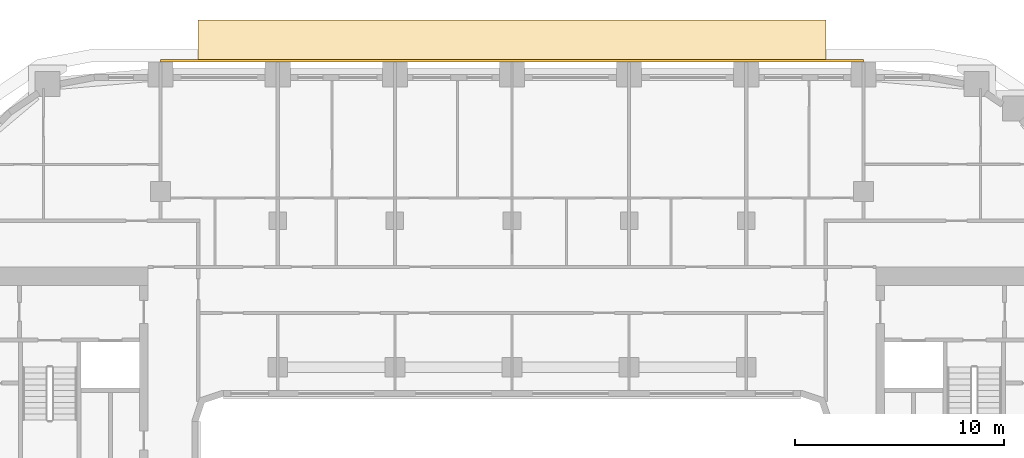
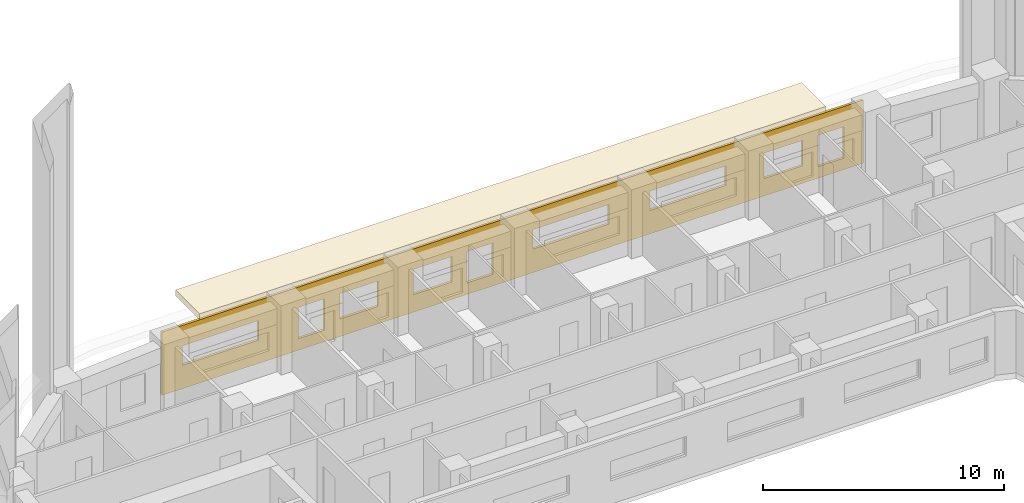
# One storey, part 22 of 23: 2 coverings.
"""IFC4 building model written with IfcOpenShell, lengths in metres."""

from ifc_helpers import new_model, si_unit, direction, frame, origin, place, context, subcontext, project, spatial, polyline, outline, extrude, material, layer, layer_set, type_object, element, save


model = new_model("IFC4")

# Units and contexts
model_context = context("Model", 3, precision=1e-05, world=origin(), true_north=direction((0.0, 1.0)))
body_context = subcontext(model_context, "Body", "Model", "MODEL_VIEW")
ifc_project = project(units=[si_unit("LENGTHUNIT", "METRE"), si_unit("AREAUNIT", "SQUARE_METRE"), si_unit("VOLUMEUNIT", "CUBIC_METRE"), si_unit("PLANEANGLEUNIT", "RADIAN"), si_unit("MASSUNIT", "GRAM", prefix="KILO")], contexts=[model_context])

# Site, building, storey
site_placement = place(None, origin())
site = spatial("IfcSite", under=ifc_project, at=site_placement, CompositionType="ELEMENT")
building_placement = place(site_placement, origin())
building = spatial("IfcBuilding", under=site, at=building_placement, Name="Kiln Ring Residences", CompositionType="ELEMENT")
storey_placement = place(building_placement, frame((0.0, 0.0, 107.800048828125)))
storey = spatial("IfcBuildingStorey", under=building, at=storey_placement, Name="L27", CompositionType="ELEMENT", Elevation=107.800048828125)

# Coverings
ifc_material_1 = material(Name="Brick masonry, dark clay brick", Category="masonry")
ifc_layer_1 = layer(ifc_material_1, 0.1201171875)
ifc_layer_set_1 = layer_set([ifc_layer_1], Name="RAINSCREEN PANEL 120")
covering_type_1 = type_object("IfcCoveringType", Name="RAINSCREEN PANEL 120", PredefinedType="CLADDING", material=ifc_layer_set_1)
covering_1_placement = place(storey_placement, frame((16.800048828125, 23.06005859375, 0.0), z_axis=(0.0, 0.0, 1.0), x_axis=(-1.0, 0.0, 0.0)))
element("IfcCovering", 1, at=covering_1_placement, inside=storey, type_object=covering_type_1, Name="RAINSCREEN L27", PredefinedType="CLADDING", context=body_context, shape_type="SweptSolid", body=[
    extrude(outline(polyline([(0.0, 0.0), (33.60009765625, 0.0), (33.60009765625, 3.199951171875), (0.0, 3.199951171875), (0.0, 0.0)]), holes=[polyline([(0.9423828125, 0.579833984375), (2.1826171875, 0.579833984375), (2.1826171875, 2.169921875), (0.9423828125, 2.169921875), (0.9423828125, 0.579833984375)]), polyline([(17.742431640625, 0.579833984375), (18.982421875, 0.579833984375), (18.982421875, 2.169921875), (17.742431640625, 2.169921875), (17.742431640625, 0.579833984375)]), polyline([(25.8173828125, 0.579833984375), (27.0576171875, 0.579833984375), (27.0576171875, 2.169921875), (25.8173828125, 2.169921875), (25.8173828125, 0.579833984375)]), polyline([(2.91748046875, 0.8798828125), (4.757568359375, 0.8798828125), (4.757568359375, 2.169921875), (2.91748046875, 2.169921875), (2.91748046875, 0.8798828125)]), polyline([(19.717529296875, 0.8798828125), (21.5576171875, 0.8798828125), (21.5576171875, 2.169921875), (19.717529296875, 2.169921875), (19.717529296875, 0.8798828125)]), polyline([(23.242431640625, 0.8798828125), (25.08251953125, 0.8798828125), (25.08251953125, 2.169921875), (23.242431640625, 2.169921875), (23.242431640625, 0.8798828125)]), polyline([(6.580078125, 1.179931640625), (10.219970703125, 1.179931640625), (10.219970703125, 2.169921875), (6.580078125, 2.169921875), (6.580078125, 1.179931640625)]), polyline([(12.179931640625, 2.169921875), (12.179931640625, 1.179931640625), (15.820068359375, 1.179931640625), (15.820068359375, 2.169921875), (12.179931640625, 2.169921875)]), polyline([(28.97998046875, 2.169921875), (28.97998046875, 1.179931640625), (32.6201171875, 1.179931640625), (32.6201171875, 2.169921875), (28.97998046875, 2.169921875)])]), frame((0.0, 0.06005859375, 0.0), z_axis=(0.0, -1.0, 0.0), x_axis=(1.0, 0.0, 0.0)), (0.0, 0.0, 1.0), 0.1201171875),
])
ifc_material_2 = material(Name="Black powder-coated steel", Category="steel")
ifc_layer_2 = layer(ifc_material_2, 0.300048828125)
ifc_layer_set_2 = layer_set([ifc_layer_2], Name="SUNSHADE BAND 2000")
covering_type_2 = type_object("IfcCoveringType", Name="SUNSHADE BAND 2000", PredefinedType="CLADDING", material=ifc_layer_set_2)
covering_2_placement = place(storey_placement, frame((0.0, 0.0, 3.199951171875)))
element("IfcCovering", 2, at=covering_2_placement, inside=storey, type_object=covering_type_2, Name="SUNSHADE BAND L27", PredefinedType="CLADDING", context=body_context, shape_type="SweptSolid", body=[
    extrude(outline(polyline([(15.0, 25.0), (-15.0, 25.0), (-15.0, 23.0), (15.0, 23.0), (15.0, 25.0)])), origin(), (0.0, 0.0, 1.0), 0.300048828125),
])

save(model, "model.ifc")
